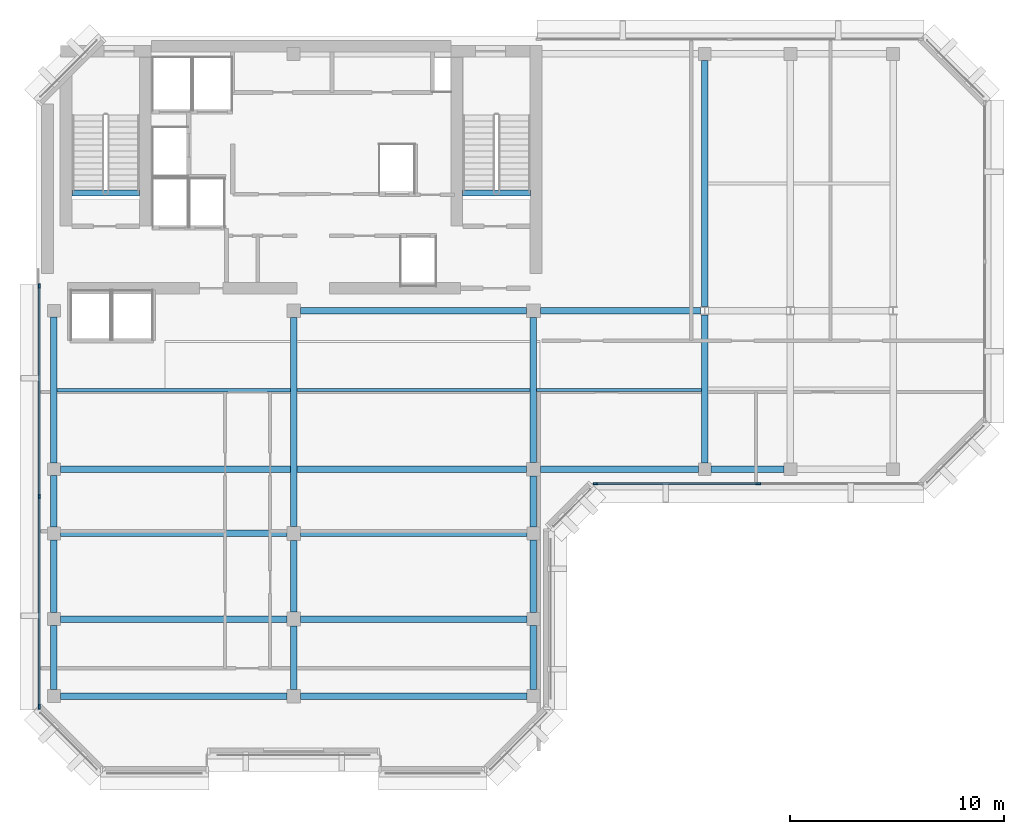
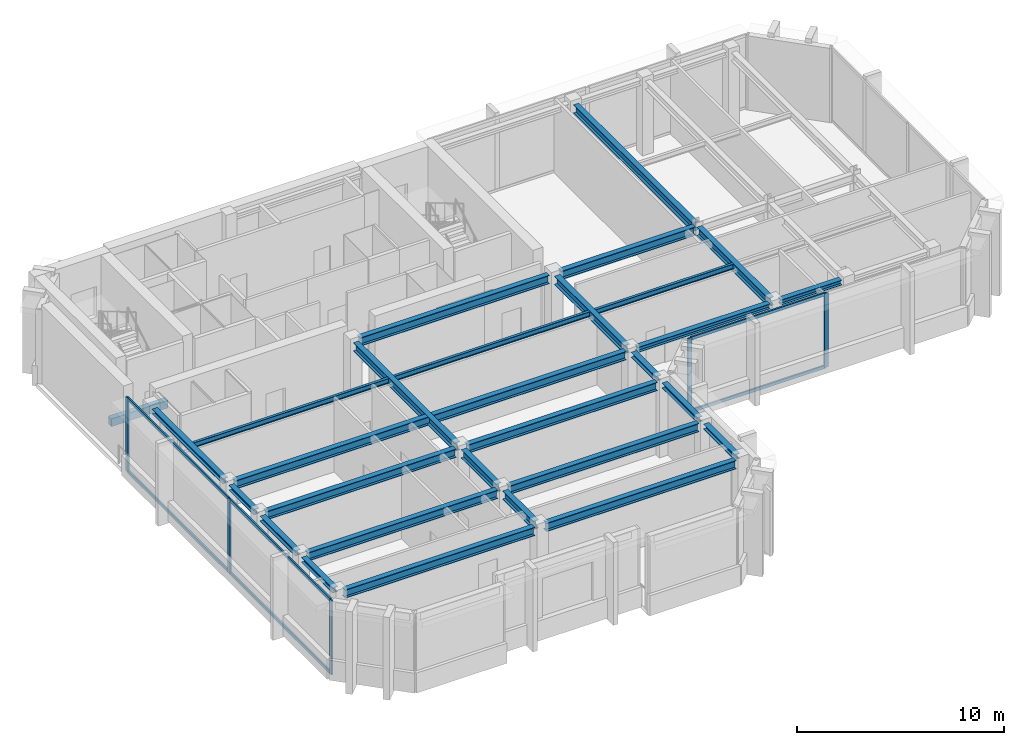
# One storey, part 2 of 9: 29 beams, 11 members, 2 elements without a shape of their own.
"""IFC4 building model written with IfcOpenShell, lengths in metres."""

from ifc_helpers import new_model, si_unit, direction, frame, origin, origin_2d, place, context, subcontext, project, spatial, rectangle, i_section, extrude, material, layer, layer_set, material_profile, profile_set, type_object, element, aggregate, save


model = new_model("IFC4")

# Units and contexts
model_context = context("Model", 3, precision=1e-05, world=origin(), true_north=direction((0.0, 1.0)))
body_context = subcontext(model_context, "Body", "Model", "MODEL_VIEW")
ifc_project = project(units=[si_unit("LENGTHUNIT", "METRE"), si_unit("AREAUNIT", "SQUARE_METRE"), si_unit("VOLUMEUNIT", "CUBIC_METRE"), si_unit("PLANEANGLEUNIT", "RADIAN"), si_unit("MASSUNIT", "GRAM", prefix="KILO")], contexts=[model_context])

# Site, building, storey
site_placement = place(None, origin())
site = spatial("IfcSite", under=ifc_project, at=site_placement, CompositionType="ELEMENT")
building_placement = place(site_placement, origin())
building = spatial("IfcBuilding", under=site, at=building_placement, Name="Kefirva Bronze Tower", CompositionType="ELEMENT")
storey_placement = place(building_placement, frame((0.0, 0.0, 356.72998046875)))
storey = spatial("IfcBuildingStorey", under=building, at=storey_placement, Name="L87", CompositionType="ELEMENT", Elevation=356.72998046875)

# Curtain wall, members
ifc_material_1 = material(Name="Bronze anodised aluminium", Category="aluminium")
ifc_layer = layer(ifc_material_1, 0.219970703125, Name="Bronze anodised aluminium")
ifc_layer_set = layer_set([ifc_layer], Name="Bronze anodised aluminium")
curtain_wall_type = type_object("IfcCurtainWallType", Name="Slanted Crown Faceted Bronze Curtain Wall", PredefinedType="USERDEFINED", material=ifc_layer_set)
curtain_wall_1_placement = place(storey_placement, origin())
curtain_wall_1 = element("IfcCurtainWall", 1, at=curtain_wall_1_placement, inside=storey, type_object=curtain_wall_type, Name="L87 Curtain Wall 1", ObjectType="UNITISED CURTAIN WALL", PredefinedType="USERDEFINED")
ifc_material_profile_1 = material_profile(ifc_material_1, rectangle(XDim=0.090087890625, YDim=0.219970703125, at=origin_2d()), Name="ALU 90x220")
ifc_profile_set_1 = profile_set([ifc_material_profile_1], Name="Bronze anodised aluminium")
member_type_1 = type_object("IfcMemberType", Name="Bronze Mullion 90x220", PredefinedType="MULLION", material=ifc_profile_set_1)
member_1_placement = place(storey_placement, frame((26.10009765625, 25.1201171875, 0.0), z_axis=(0.0, 0.0, 1.0), x_axis=(0.0, 1.0, 0.0)))
member_1 = element("IfcMember", 2, at=member_1_placement, type_object=member_type_1, Name="CW-07 mullion 1", PredefinedType="MULLION", context=body_context, shape_type="SweptSolid", body=[
    extrude(rectangle(XDim=0.090087890625, YDim=0.219970703125, at=origin_2d()), origin(), (0.0, 0.0, 1.0), 4.3701171875),
])
member_2_placement = place(storey_placement, frame((33.699951171875, 25.1201171875, 0.0), z_axis=(0.0, 0.0, 1.0), x_axis=(0.0, 1.0, 0.0)))
member_2 = element("IfcMember", 3, at=member_2_placement, type_object=member_type_1, Name="CW-07 mullion 2", PredefinedType="MULLION", context=body_context, shape_type="SweptSolid", body=[
    extrude(rectangle(XDim=0.090087890625, YDim=0.219970703125, at=origin_2d()), origin(), (0.0, 0.0, 1.0), 4.3701171875),
])

curtain_wall_2_placement = place(storey_placement, origin())
curtain_wall_2 = element("IfcCurtainWall", 4, at=curtain_wall_2_placement, inside=storey, type_object=curtain_wall_type, Name="L87 Curtain Wall 4", ObjectType="UNITISED CURTAIN WALL", PredefinedType="USERDEFINED")
member_3_placement = place(storey_placement, frame((0.1201171875, 34.35009765625, 0.0), z_axis=(0.0, 0.0, 1.0), x_axis=(1.0, 0.0, 0.0)))
member_3 = element("IfcMember", 5, at=member_3_placement, type_object=member_type_1, Name="CW-07 mullion 1", PredefinedType="MULLION", context=body_context, shape_type="SweptSolid", body=[
    extrude(rectangle(XDim=0.090087890625, YDim=0.219970703125, at=origin_2d()), origin(), (0.0, 0.0, 1.0), 4.3701171875),
])
member_4_placement = place(storey_placement, frame((0.1201171875, 24.52490234375, 0.0), z_axis=(0.0, 0.0, 1.0), x_axis=(1.0, 0.0, 0.0)))
member_4 = element("IfcMember", 6, at=member_4_placement, type_object=member_type_1, Name="CW-07 mullion 2", PredefinedType="MULLION", context=body_context, shape_type="SweptSolid", body=[
    extrude(rectangle(XDim=0.090087890625, YDim=0.219970703125, at=origin_2d()), origin(), (0.0, 0.0, 1.0), 4.3701171875),
])
member_5_placement = place(storey_placement, frame((0.1201171875, 14.699951171875, 0.0), z_axis=(0.0, 0.0, 1.0), x_axis=(1.0, 0.0, 0.0)))
member_5 = element("IfcMember", 7, at=member_5_placement, type_object=member_type_1, Name="CW-07 mullion 3", PredefinedType="MULLION", context=body_context, shape_type="SweptSolid", body=[
    extrude(rectangle(XDim=0.090087890625, YDim=0.219970703125, at=origin_2d()), origin(), (0.0, 0.0, 1.0), 4.3701171875),
])

# Member
ifc_material_profile_2 = material_profile(ifc_material_1, rectangle(XDim=0.090087890625, YDim=0.179931640625, at=origin_2d()), Name="ALU 90x180")
ifc_profile_set_2 = profile_set([ifc_material_profile_2], Name="Bronze anodised aluminium")
member_type_2 = type_object("IfcMemberType", Name="Bronze Transom 90x180", PredefinedType="USERDEFINED", material=ifc_profile_set_2)
member_6_placement = place(storey_placement, frame((26.14501953125, 25.1201171875, 0.044921875), z_axis=(1.0, 0.0, 0.0), x_axis=(0.0, 1.0, 0.0)))
member_6 = element("IfcMember", 8, at=member_6_placement, type_object=member_type_2, Name="CW-07 transom 1.1", ObjectType="TRANSOM", PredefinedType="USERDEFINED", context=body_context, shape_type="SweptSolid", body=[
    extrude(rectangle(XDim=0.090087890625, YDim=0.179931640625, at=origin_2d()), origin(), (0.0, 0.0, 1.0), 7.510009765625),
])

member_7_placement = place(storey_placement, frame((26.14501953125, 25.1201171875, 4.324951171875), z_axis=(1.0, 0.0, 0.0), x_axis=(0.0, 1.0, 0.0)))
member_7 = element("IfcMember", 9, at=member_7_placement, type_object=member_type_2, Name="CW-07 transom 1.2", ObjectType="TRANSOM", PredefinedType="USERDEFINED", context=body_context, shape_type="SweptSolid", body=[
    extrude(rectangle(XDim=0.090087890625, YDim=0.179931640625, at=origin_2d()), origin(), (0.0, 0.0, 1.0), 7.510009765625),
])

aggregate(curtain_wall_1, [member_1, member_2, member_6, member_7])

member_8_placement = place(storey_placement, frame((0.1201171875, 34.304931640625, 0.044921875), z_axis=(0.0, -1.0, 0.0), x_axis=(1.0, 0.0, 0.0)))
member_8 = element("IfcMember", 10, at=member_8_placement, type_object=member_type_2, Name="CW-07 transom 1.1", ObjectType="TRANSOM", PredefinedType="USERDEFINED", context=body_context, shape_type="SweptSolid", body=[
    extrude(rectangle(XDim=0.090087890625, YDim=0.179931640625, at=origin_2d()), origin(), (0.0, 0.0, 1.0), 9.73486328125),
])

member_9_placement = place(storey_placement, frame((0.1201171875, 34.304931640625, 4.324951171875), z_axis=(0.0, -1.0, 0.0), x_axis=(1.0, 0.0, 0.0)))
member_9 = element("IfcMember", 11, at=member_9_placement, type_object=member_type_2, Name="CW-07 transom 1.2", ObjectType="TRANSOM", PredefinedType="USERDEFINED", context=body_context, shape_type="SweptSolid", body=[
    extrude(rectangle(XDim=0.090087890625, YDim=0.179931640625, at=origin_2d()), origin(), (0.0, 0.0, 1.0), 9.73486328125),
])

member_10_placement = place(storey_placement, frame((0.1201171875, 24.47998046875, 0.044921875), z_axis=(0.0, -1.0, 0.0), x_axis=(1.0, 0.0, 0.0)))
member_10 = element("IfcMember", 12, at=member_10_placement, type_object=member_type_2, Name="CW-07 transom 2.1", ObjectType="TRANSOM", PredefinedType="USERDEFINED", context=body_context, shape_type="SweptSolid", body=[
    extrude(rectangle(XDim=0.090087890625, YDim=0.179931640625, at=origin_2d()), origin(), (0.0, 0.0, 1.0), 9.73486328125),
])

member_11_placement = place(storey_placement, frame((0.1201171875, 24.47998046875, 4.324951171875), z_axis=(0.0, -1.0, 0.0), x_axis=(1.0, 0.0, 0.0)))
member_11 = element("IfcMember", 13, at=member_11_placement, type_object=member_type_2, Name="CW-07 transom 2.2", ObjectType="TRANSOM", PredefinedType="USERDEFINED", context=body_context, shape_type="SweptSolid", body=[
    extrude(rectangle(XDim=0.090087890625, YDim=0.179931640625, at=origin_2d()), origin(), (0.0, 0.0, 1.0), 9.73486328125),
])

aggregate(curtain_wall_2, [member_3, member_4, member_5, member_8, member_9, member_10, member_11])

# Beams
ifc_material_2 = material(Name="Concrete C50/60", Category="concrete")
ifc_material_profile_3 = material_profile(ifc_material_2, rectangle(XDim=0.300048828125, YDim=0.449951171875, at=origin_2d()), Name="RC 300x450")
ifc_profile_set_3 = profile_set([ifc_material_profile_3], Name="Concrete C50/60")
beam_type_1 = type_object("IfcBeamType", Name="RC Stair Trimmer Beam 300x450", PredefinedType="BEAM", material=ifc_profile_set_3)
beam_1_placement = place(storey_placement, frame((1.64501953125, 38.699951171875, -0.22509765625), z_axis=(1.0, 0.0, 0.0), x_axis=(0.0, 1.0, 0.0)))
element("IfcBeam", 14, at=beam_1_placement, inside=storey, type_object=beam_type_1, Name="L87 Stair 1 Landing Trimmer Beam", PredefinedType="BEAM", context=body_context, shape_type="SweptSolid", body=[
    extrude(rectangle(XDim=0.300048828125, YDim=0.449951171875, at=origin_2d()), origin(), (0.0, 0.0, 1.0), 3.14990234375),
])
beam_2_placement = place(storey_placement, frame((19.89501953125, 38.699951171875, -0.22509765625), z_axis=(1.0, 0.0, 0.0), x_axis=(0.0, 1.0, 0.0)))
element("IfcBeam", 15, at=beam_2_placement, inside=storey, type_object=beam_type_1, Name="L87 Stair 2 Landing Trimmer Beam", PredefinedType="BEAM", context=body_context, shape_type="SweptSolid", body=[
    extrude(rectangle(XDim=0.300048828125, YDim=0.449951171875, at=origin_2d()), origin(), (0.0, 0.0, 1.0), 3.159912109375),
])
ifc_material_3 = material(Name="Steel S355", Category="steel")
ifc_material_profile_4 = material_profile(ifc_material_3, i_section(OverallWidth=0.14990234375, OverallDepth=0.300048828125, WebThickness=0.007080078125, FlangeThickness=0.0107421875, at=origin_2d()), Name="IPE 300")
ifc_profile_set_4 = profile_set([ifc_material_profile_4], Name="Steel S355")
beam_type_2 = type_object("IfcBeamType", Name="Steel Floor Joist IPE 300", PredefinedType="JOIST", material=ifc_profile_set_4)
for number, where, z_axis, x_axis, name in (
    (16, (0.949951171875, 29.489990234375, 4.219970703125), (1.0, 0.0, 0.0), (0.0, 1.0, 0.0), "L87 JST-L87-0-294"),
    (17, (12.14990234375, 29.5, 4.219970703125), (1.0, 0.0, 0.0), (0.0, 1.0, 0.0), "L87 JST-L87-12-295"),
):
    element("IfcBeam", number, at=place(storey_placement, frame(where, z_axis=z_axis, x_axis=x_axis)), inside=storey, type_object=beam_type_2, Name=name, PredefinedType="JOIST", context=body_context, shape_type="SweptSolid", body=[
        extrude(i_section(OverallWidth=0.14990234375, OverallDepth=0.300048828125, WebThickness=0.007080078125, FlangeThickness=0.0107421875, at=origin_2d()), origin(), (0.0, 0.0, 1.0), 10.900146484375),
    ])
beam_3_placement = place(storey_placement, frame((23.35009765625, 29.5, 4.219970703125), z_axis=(1.0, 0.0, 0.0), x_axis=(0.0, 1.0, 0.0)))
element("IfcBeam", 18, at=beam_3_placement, inside=storey, type_object=beam_type_2, Name="L87 JST-L87-23-295", PredefinedType="JOIST", context=body_context, shape_type="SweptSolid", body=[
    extrude(i_section(OverallWidth=0.14990234375, OverallDepth=0.300048828125, WebThickness=0.007080078125, FlangeThickness=0.0107421875, at=origin_2d()), origin(), (0.0, 0.0, 1.0), 7.699951171875),
])
ifc_material_profile_5 = material_profile(ifc_material_3, i_section(OverallWidth=0.300048828125, OverallDepth=0.5, WebThickness=0.014404296875, FlangeThickness=0.028076171875, at=origin_2d()), Name="HEB 500")
ifc_profile_set_5 = profile_set([ifc_material_profile_5], Name="Steel S355")
beam_type_3 = type_object("IfcBeamType", Name="Steel Girder HEB 500", PredefinedType="USERDEFINED", material=ifc_profile_set_5)
for number, where, z_axis, x_axis, name in (
    (19, (1.10009765625, 15.199951171875, 4.1201171875), (1.0, 0.0, 0.0), (0.0, 1.0, 0.0), "L87 BM-L87-EW-0-152"),
    (20, (12.320068359375, 15.199951171875, 4.1201171875), (1.0, 0.0, 0.0), (0.0, 1.0, 0.0), "L87 BM-L87-EW-12-152"),
    (21, (1.10009765625, 18.800048828125, 4.1201171875), (1.0, 0.0, 0.0), (0.0, 1.0, 0.0), "L87 BM-L87-EW-0-188"),
    (22, (12.320068359375, 18.800048828125, 4.1201171875), (1.0, 0.0, 0.0), (0.0, 1.0, 0.0), "L87 BM-L87-EW-12-188"),
    (23, (1.10009765625, 22.800048828125, 4.1201171875), (1.0, 0.0, 0.0), (0.0, 1.0, 0.0), "L87 BM-L87-EW-0-228"),
    (24, (12.320068359375, 22.800048828125, 4.1201171875), (1.0, 0.0, 0.0), (0.0, 1.0, 0.0), "L87 BM-L87-EW-12-228"),
):
    element("IfcBeam", number, at=place(storey_placement, frame(where, z_axis=z_axis, x_axis=x_axis)), inside=storey, type_object=beam_type_3, Name=name, ObjectType="GIRDER", PredefinedType="USERDEFINED", context=body_context, shape_type="SweptSolid", body=[
        extrude(i_section(OverallWidth=0.300048828125, OverallDepth=0.5, WebThickness=0.014404296875, FlangeThickness=0.028076171875, at=origin_2d()), origin(), (0.0, 0.0, 1.0), 10.579833984375),
    ])
beam_4_placement = place(storey_placement, frame((1.10009765625, 25.800048828125, 4.1201171875), z_axis=(1.0, 0.0, 0.0), x_axis=(0.0, 1.0, 0.0)))
element("IfcBeam", 25, at=beam_4_placement, inside=storey, type_object=beam_type_3, Name="L87 BM-L87-EW-0-258", ObjectType="GIRDER", PredefinedType="USERDEFINED", context=body_context, shape_type="SweptSolid", body=[
    extrude(i_section(OverallWidth=0.300048828125, OverallDepth=0.5, WebThickness=0.014404296875, FlangeThickness=0.028076171875, at=origin_2d()), origin(), (0.0, 0.0, 1.0), 21.77978515625),
])
beam_5_placement = place(storey_placement, frame((12.320068359375, 33.199951171875, 4.1201171875), z_axis=(1.0, 0.0, 0.0), x_axis=(0.0, 1.0, 0.0)))
element("IfcBeam", 26, at=beam_5_placement, inside=storey, type_object=beam_type_3, Name="L87 BM-L87-EW-12-332", ObjectType="GIRDER", PredefinedType="USERDEFINED", context=body_context, shape_type="SweptSolid", body=[
    extrude(i_section(OverallWidth=0.300048828125, OverallDepth=0.5, WebThickness=0.014404296875, FlangeThickness=0.028076171875, at=origin_2d()), origin(), (0.0, 0.0, 1.0), 10.559814453125),
])
beam_6_placement = place(storey_placement, frame((23.52001953125, 33.199951171875, 4.1201171875), z_axis=(1.0, 0.0, 0.0), x_axis=(0.0, 1.0, 0.0)))
element("IfcBeam", 27, at=beam_6_placement, inside=storey, type_object=beam_type_3, Name="L87 BM-L87-EW-23-332", ObjectType="GIRDER", PredefinedType="USERDEFINED", context=body_context, shape_type="SweptSolid", body=[
    extrude(i_section(OverallWidth=0.300048828125, OverallDepth=0.5, WebThickness=0.014404296875, FlangeThickness=0.028076171875, at=origin_2d()), origin(), (0.0, 0.0, 1.0), 7.491455078125),
])
beam_7_placement = place(storey_placement, frame((12.0, 15.52001953125, 4.1201171875), z_axis=(0.0, 1.0, 0.0), x_axis=(-1.0, 0.0, 0.0)))
element("IfcBeam", 28, at=beam_7_placement, inside=storey, type_object=beam_type_3, Name="L87 BM-L87-NS-120-15", ObjectType="GIRDER", PredefinedType="USERDEFINED", context=body_context, shape_type="SweptSolid", body=[
    extrude(i_section(OverallWidth=0.300048828125, OverallDepth=0.5, WebThickness=0.014404296875, FlangeThickness=0.028076171875, at=origin_2d()), origin(), (0.0, 0.0, 1.0), 2.9599609375),
])
beam_8_placement = place(storey_placement, frame((12.0, 19.1201171875, 4.1201171875), z_axis=(0.0, 1.0, 0.0), x_axis=(-1.0, 0.0, 0.0)))
element("IfcBeam", 29, at=beam_8_placement, inside=storey, type_object=beam_type_3, Name="L87 BM-L87-NS-120-18", ObjectType="GIRDER", PredefinedType="USERDEFINED", context=body_context, shape_type="SweptSolid", body=[
    extrude(i_section(OverallWidth=0.300048828125, OverallDepth=0.5, WebThickness=0.014404296875, FlangeThickness=0.028076171875, at=origin_2d()), origin(), (0.0, 0.0, 1.0), 3.35986328125),
])
beam_9_placement = place(storey_placement, frame((12.0, 23.1201171875, 4.1201171875), z_axis=(0.0, 1.0, 0.0), x_axis=(-1.0, 0.0, 0.0)))
element("IfcBeam", 30, at=beam_9_placement, inside=storey, type_object=beam_type_3, Name="L87 BM-L87-NS-120-22", ObjectType="GIRDER", PredefinedType="USERDEFINED", context=body_context, shape_type="SweptSolid", body=[
    extrude(i_section(OverallWidth=0.300048828125, OverallDepth=0.5, WebThickness=0.014404296875, FlangeThickness=0.028076171875, at=origin_2d()), origin(), (0.0, 0.0, 1.0), 9.759765625),
])
beam_10_placement = place(storey_placement, frame((23.199951171875, 26.1201171875, 4.1201171875), z_axis=(0.0, 1.0, 0.0), x_axis=(-1.0, 0.0, 0.0)))
element("IfcBeam", 31, at=beam_10_placement, inside=storey, type_object=beam_type_3, Name="L87 BM-L87-NS-232-25", ObjectType="GIRDER", PredefinedType="USERDEFINED", context=body_context, shape_type="SweptSolid", body=[
    extrude(i_section(OverallWidth=0.300048828125, OverallDepth=0.5, WebThickness=0.014404296875, FlangeThickness=0.028076171875, at=origin_2d()), origin(), (0.0, 0.0, 1.0), 6.759765625),
])
beam_11_placement = place(storey_placement, frame((31.199951171875, 26.10009765625, 4.1201171875), z_axis=(0.0, 1.0, 0.0), x_axis=(-1.0, 0.0, 0.0)))
element("IfcBeam", 32, at=beam_11_placement, inside=storey, type_object=beam_type_3, Name="L87 BM-L87-NS-312-25", ObjectType="GIRDER", PredefinedType="USERDEFINED", context=body_context, shape_type="SweptSolid", body=[
    extrude(i_section(OverallWidth=0.300048828125, OverallDepth=0.5, WebThickness=0.014404296875, FlangeThickness=0.028076171875, at=origin_2d()), origin(), (0.0, 0.0, 1.0), 6.906494140625),
])
beam_12_placement = place(storey_placement, frame((31.199951171875, 33.3935546875, 4.1201171875), z_axis=(0.0, 1.0, 0.0), x_axis=(-1.0, 0.0, 0.0)))
element("IfcBeam", 33, at=beam_12_placement, inside=storey, type_object=beam_type_3, Name="L87 BM-L87-NS-312-33", ObjectType="GIRDER", PredefinedType="USERDEFINED", context=body_context, shape_type="SweptSolid", body=[
    extrude(i_section(OverallWidth=0.300048828125, OverallDepth=0.5, WebThickness=0.014404296875, FlangeThickness=0.028076171875, at=origin_2d()), origin(), (0.0, 0.0, 1.0), 11.50634765625),
])
ifc_material_profile_6 = material_profile(ifc_material_3, i_section(OverallWidth=0.300048828125, OverallDepth=0.300048828125, WebThickness=0.010986328125, FlangeThickness=0.01904296875, at=origin_2d()), Name="HEB 300")
ifc_profile_set_6 = profile_set([ifc_material_profile_6], Name="Steel S355")
beam_type_4 = type_object("IfcBeamType", Name="Steel Spandrel HEB 300 Ext", PredefinedType="SPANDREL", material=ifc_profile_set_6)
beam_13_placement = place(storey_placement, frame((23.52001953125, 25.800048828125, 4.219970703125), z_axis=(1.0, 0.0, 0.0), x_axis=(0.0, 1.0, 0.0)))
element("IfcBeam", 34, at=beam_13_placement, inside=storey, type_object=beam_type_4, Name="L87 BM-L87-EW-23-258", PredefinedType="SPANDREL", context=body_context, shape_type="SweptSolid", body=[
    extrude(i_section(OverallWidth=0.300048828125, OverallDepth=0.300048828125, WebThickness=0.010986328125, FlangeThickness=0.01904296875, at=origin_2d()), origin(), (0.0, 0.0, 1.0), 7.3798828125),
])
beam_14_placement = place(storey_placement, frame((31.5, 25.800048828125, 4.219970703125), z_axis=(1.0, 0.0, 0.0), x_axis=(0.0, 1.0, 0.0)))
element("IfcBeam", 35, at=beam_14_placement, inside=storey, type_object=beam_type_4, Name="L87 BM-L87-EW-31-258", PredefinedType="SPANDREL", context=body_context, shape_type="SweptSolid", body=[
    extrude(i_section(OverallWidth=0.300048828125, OverallDepth=0.300048828125, WebThickness=0.010986328125, FlangeThickness=0.01904296875, at=origin_2d()), origin(), (0.0, 0.0, 1.0), 3.39990234375),
])
beam_15_placement = place(storey_placement, frame((0.800048828125, 15.5, 4.219970703125), z_axis=(0.0, 1.0, 0.0), x_axis=(-1.0, 0.0, 0.0)))
element("IfcBeam", 36, at=beam_15_placement, inside=storey, type_object=beam_type_4, Name="L87 BM-L87-NS-8-15", PredefinedType="SPANDREL", context=body_context, shape_type="SweptSolid", body=[
    extrude(i_section(OverallWidth=0.300048828125, OverallDepth=0.300048828125, WebThickness=0.010986328125, FlangeThickness=0.01904296875, at=origin_2d()), origin(), (0.0, 0.0, 1.0), 3.0),
])
beam_16_placement = place(storey_placement, frame((0.800048828125, 19.10009765625, 4.219970703125), z_axis=(0.0, 1.0, 0.0), x_axis=(-1.0, 0.0, 0.0)))
element("IfcBeam", 37, at=beam_16_placement, inside=storey, type_object=beam_type_4, Name="L87 BM-L87-NS-8-18", PredefinedType="SPANDREL", context=body_context, shape_type="SweptSolid", body=[
    extrude(i_section(OverallWidth=0.300048828125, OverallDepth=0.300048828125, WebThickness=0.010986328125, FlangeThickness=0.01904296875, at=origin_2d()), origin(), (0.0, 0.0, 1.0), 3.39990234375),
])
beam_17_placement = place(storey_placement, frame((0.800048828125, 23.10009765625, 4.219970703125), z_axis=(0.0, 1.0, 0.0), x_axis=(-1.0, 0.0, 0.0)))
element("IfcBeam", 38, at=beam_17_placement, inside=storey, type_object=beam_type_4, Name="L87 BM-L87-NS-8-22", PredefinedType="SPANDREL", context=body_context, shape_type="SweptSolid", body=[
    extrude(i_section(OverallWidth=0.300048828125, OverallDepth=0.300048828125, WebThickness=0.010986328125, FlangeThickness=0.01904296875, at=origin_2d()), origin(), (0.0, 0.0, 1.0), 2.39990234375),
])
beam_18_placement = place(storey_placement, frame((0.800048828125, 26.10009765625, 4.219970703125), z_axis=(0.0, 1.0, 0.0), x_axis=(-1.0, 0.0, 0.0)))
element("IfcBeam", 39, at=beam_18_placement, inside=storey, type_object=beam_type_4, Name="L87 BM-L87-NS-8-25", PredefinedType="SPANDREL", context=body_context, shape_type="SweptSolid", body=[
    extrude(i_section(OverallWidth=0.300048828125, OverallDepth=0.300048828125, WebThickness=0.010986328125, FlangeThickness=0.01904296875, at=origin_2d()), origin(), (0.0, 0.0, 1.0), 6.7998046875),
])
beam_19_placement = place(storey_placement, frame((23.199951171875, 15.5, 4.219970703125), z_axis=(0.0, 1.0, 0.0), x_axis=(-1.0, 0.0, 0.0)))
element("IfcBeam", 40, at=beam_19_placement, inside=storey, type_object=beam_type_4, Name="L87 BM-L87-NS-232-15", PredefinedType="SPANDREL", context=body_context, shape_type="SweptSolid", body=[
    extrude(i_section(OverallWidth=0.300048828125, OverallDepth=0.300048828125, WebThickness=0.010986328125, FlangeThickness=0.01904296875, at=origin_2d()), origin(), (0.0, 0.0, 1.0), 3.0),
])
beam_20_placement = place(storey_placement, frame((23.199951171875, 19.10009765625, 4.219970703125), z_axis=(0.0, 1.0, 0.0), x_axis=(-1.0, 0.0, 0.0)))
element("IfcBeam", 41, at=beam_20_placement, inside=storey, type_object=beam_type_4, Name="L87 BM-L87-NS-232-18", PredefinedType="SPANDREL", context=body_context, shape_type="SweptSolid", body=[
    extrude(i_section(OverallWidth=0.300048828125, OverallDepth=0.300048828125, WebThickness=0.010986328125, FlangeThickness=0.01904296875, at=origin_2d()), origin(), (0.0, 0.0, 1.0), 3.39990234375),
])
beam_21_placement = place(storey_placement, frame((23.199951171875, 23.10009765625, 4.219970703125), z_axis=(0.0, 1.0, 0.0), x_axis=(-1.0, 0.0, 0.0)))
element("IfcBeam", 42, at=beam_21_placement, inside=storey, type_object=beam_type_4, Name="L87 BM-L87-NS-232-22", PredefinedType="SPANDREL", context=body_context, shape_type="SweptSolid", body=[
    extrude(i_section(OverallWidth=0.300048828125, OverallDepth=0.300048828125, WebThickness=0.010986328125, FlangeThickness=0.01904296875, at=origin_2d()), origin(), (0.0, 0.0, 1.0), 2.3798828125),
])

save(model, "model.ifc")
